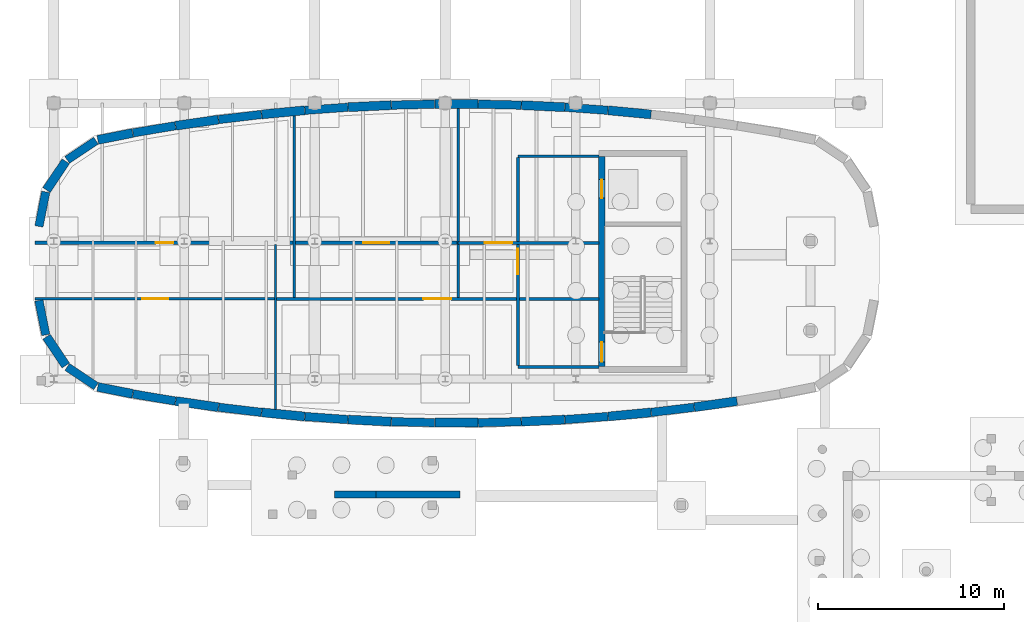
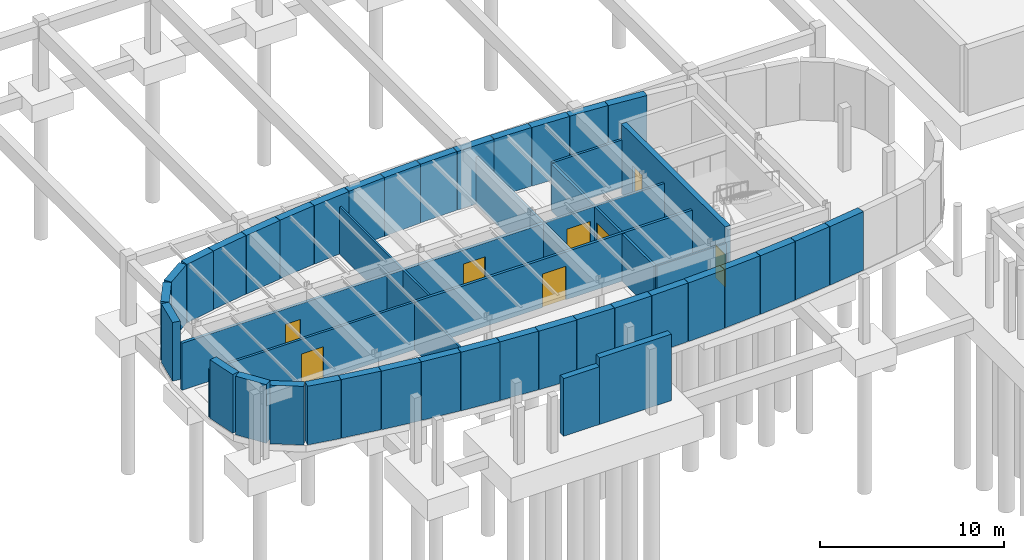
# One storey, part 35 of 45: 48 walls, 8 doors, 8 openings.
"""IFC4 building model written with IfcOpenShell, lengths in metres."""

from ifc_helpers import new_model, si_unit, direction, frame, frame_2d, origin, place, context, subcontext, project, spatial, rectangle, extrude, material, layer, layer_set, type_object, element, fill, save


model = new_model("IFC4")

# Units and contexts
model_context = context("Model", 3, precision=1e-05, world=origin(), true_north=direction((0.0, 1.0)))
body_context = subcontext(model_context, "Body", "Model", "MODEL_VIEW")
ifc_project = project(units=[si_unit("LENGTHUNIT", "METRE"), si_unit("AREAUNIT", "SQUARE_METRE"), si_unit("VOLUMEUNIT", "CUBIC_METRE"), si_unit("PLANEANGLEUNIT", "RADIAN"), si_unit("MASSUNIT", "GRAM", prefix="KILO")], contexts=[model_context])

# Site, building, storey
site_placement = place(None, origin())
site = spatial("IfcSite", under=ifc_project, at=site_placement, CompositionType="ELEMENT")
building_placement = place(site_placement, origin())
building = spatial("IfcBuilding", under=site, at=building_placement, Name="Corveleigh Park Community Centre", CompositionType="ELEMENT")
storey_placement = place(building_placement, frame((0.0, 0.0, -4.199951171875)))
storey = spatial("IfcBuildingStorey", under=building, at=storey_placement, Name="B1", CompositionType="ELEMENT", Elevation=-4.199951171875)

# Walls
ifc_material_1 = material(Name="Gypsum acoustic stud partition", Category="gypsum")
ifc_layer_1 = layer(ifc_material_1, 0.114990234375, Name="Gypsum acoustic stud partition", Category="gypsum")
ifc_layer_set_1 = layer_set([ifc_layer_1], Name="Gypsum acoustic stud partition")
wall_type_1 = type_object("IfcWallType", Name="WL-PRT-115", PredefinedType="PARTITIONING", material=ifc_layer_set_1)
wall_1_placement = place(storey_placement, frame((23.10009765625, 76.364990234375, 0.0), z_axis=(0.0, 0.0, 1.0), x_axis=(0.0, 1.0, 0.0)))
element("IfcWall", 1, at=wall_1_placement, inside=storey, type_object=wall_type_1, Name="Community Cycle Hub partition", PredefinedType="PARTITIONING", context=body_context, shape_type="SweptSolid", body=[
    extrude(rectangle(XDim=8.85693359375, YDim=0.114990234375, at=frame_2d((4.428466796875, 0.0))), origin(), (0.0, 0.0, 1.0), 3.119873046875),
])
ifc_layer_2 = layer(ifc_material_1, 0.125, Name="Gypsum acoustic stud partition", Category="gypsum")
ifc_layer_set_2 = layer_set([ifc_layer_2], Name="Gypsum acoustic stud partition")
wall_type_2 = type_object("IfcWallType", Name="WL-PRT-125", PredefinedType="PARTITIONING", material=ifc_layer_set_2)
wall_2_placement = place(storey_placement, frame((24.10009765625, 82.3701171875, 0.0), z_axis=(0.0, 0.0, 1.0), x_axis=(0.0, 1.0, 0.0)))
element("IfcWall", 2, at=wall_2_placement, inside=storey, type_object=wall_type_2, Name="Youth Martial Arts Studio partition", PredefinedType="PARTITIONING", context=body_context, shape_type="SweptSolid", body=[
    extrude(rectangle(XDim=9.759765625, YDim=0.125, at=frame_2d((4.8798828125, 0.0))), origin(), (0.0, 0.0, 1.0), 3.119873046875),
])
ifc_layer_3 = layer(ifc_material_1, 0.139892578125, Name="Gypsum acoustic stud partition", Category="gypsum")
ifc_layer_set_3 = layer_set([ifc_layer_3], Name="Gypsum acoustic stud partition")
wall_type_3 = type_object("IfcWallType", Name="WL-PRT-140", PredefinedType="PARTITIONING", material=ifc_layer_set_3)
wall_3_placement = place(storey_placement, frame((32.89990234375, 82.3701171875, 0.0), z_axis=(0.0, 0.0, 1.0), x_axis=(0.0, 1.0, 0.0)))
element("IfcWall", 3, at=wall_3_placement, inside=storey, type_object=wall_type_3, Name="Sports Changing Room B1 partition", PredefinedType="PARTITIONING", context=body_context, shape_type="SweptSolid", body=[
    extrude(rectangle(XDim=10.14599609375, YDim=0.139892578125, at=frame_2d((5.072998046875, 0.0))), origin(), (0.0, 0.0, 1.0), 3.119873046875),
])
ifc_layer_4 = layer(ifc_material_1, 0.14990234375, Name="Gypsum acoustic stud partition", Category="gypsum")
ifc_layer_set_4 = layer_set([ifc_layer_4], Name="Gypsum acoustic stud partition")
wall_type_4 = type_object("IfcWallType", Name="WL-PRT-150", PredefinedType="PARTITIONING", material=ifc_layer_set_4)
for number, where, z_axis, x_axis, name in (
    (4, (36.10009765625, 78.64990234375, 0.0), (0.0, 0.0, 1.0), (1.0, 0.0, 0.0), "CORE3 lobby south wall"),
    (5, (40.452880859375, 89.949951171875, 0.0), (0.0, 0.0, 1.0), (-1.0, 0.0, 0.0), "CORE3 lobby north wall"),
):
    element("IfcWall", number, at=place(storey_placement, frame(where, z_axis=z_axis, x_axis=x_axis)), inside=storey, type_object=wall_type_4, Name=name, PredefinedType="PARTITIONING", context=body_context, shape_type="SweptSolid", body=[
        extrude(rectangle(XDim=4.352783203125, YDim=0.14990234375, at=frame_2d((2.17626953125, 0.0))), origin(), (0.0, 0.0, 1.0), 3.169921875),
    ])

# Wall, opening, door
wall_4_placement = place(storey_placement, frame((36.10009765625, 89.8701171875, 0.0), z_axis=(0.0, 0.0, 1.0), x_axis=(0.0, -1.0, 0.0)))
wall_4 = element("IfcWall", 6, at=wall_4_placement, inside=storey, type_object=wall_type_4, Name="CORE3 lobby corridor wall", PredefinedType="PARTITIONING", context=body_context, shape_type="SweptSolid", body=[
    extrude(rectangle(XDim=11.14013671875, YDim=0.14990234375, at=frame_2d((5.570068359375, 0.0))), origin(), (0.0, 0.0, 1.0), 3.119873046875),
])
opening_1_placement = place(wall_4_placement, frame((4.8798828125, 0.0, 0.0)))
opening_1 = element("IfcOpeningElement", 7, at=opening_1_placement, cuts=wall_4, Name="Opening FD02", PredefinedType="OPENING", context=body_context, shape_type="SweptSolid", body=[
    extrude(rectangle(XDim=1.3798828125, YDim=2.199951171875, at=frame_2d((0.68994140625, 1.10009765625))), frame((0.0, 0.0849609375, 0.0), z_axis=(0.0, -1.0, 0.0), x_axis=(1.0, 0.0, 0.0)), (0.0, 0.0, 1.0), 0.169921875),
])
ifc_material_2 = material(Name="Hardwood acoustic door leaf", Category="wood")
door_type_1 = type_object("IfcDoorType", Name="DR-FIR-1380x2200", OperationType="DOUBLE_DOOR_SINGLE_SWING", PredefinedType="DOOR", material=ifc_material_2)
door_1_placement = place(opening_1_placement, origin())
door_1 = element("IfcDoor", 8, at=door_1_placement, inside=storey, type_object=door_type_1, Name="Lobby CORE3 corridor door B1", OperationType="DOUBLE_DOOR_SINGLE_SWING", OverallHeight=2.199951171875, OverallWidth=1.3798828125, PredefinedType="DOOR", context=body_context, shape_type="SweptSolid", body=[
    extrude(rectangle(XDim=1.3798828125, YDim=2.199951171875, at=frame_2d((0.68994140625, 1.10009765625))), frame((0.0, 0.02490234375, 0.0), z_axis=(0.0, -1.0, 0.0), x_axis=(1.0, 0.0, 0.0)), (0.0, 0.0, 1.0), 0.050048828125),
])
fill(opening_1, door_1)

wall_5_placement = place(storey_placement, frame((10.199951171875, 82.300048828125, 0.0), z_axis=(0.0, 0.0, 1.0), x_axis=(1.0, 0.0, 0.0)))
wall_5 = element("IfcWall", 9, at=wall_5_placement, inside=storey, type_object=wall_type_4, Name="Community Cycle Hub corridor wall", PredefinedType="PARTITIONING", context=body_context, shape_type="SweptSolid", body=[
    extrude(rectangle(XDim=12.900146484375, YDim=0.14990234375, at=frame_2d((6.4501953125, 0.0))), origin(), (0.0, 0.0, 1.0), 3.169921875),
])
opening_2_placement = place(wall_5_placement, frame((5.760009765625, 0.0, 0.0)))
opening_2 = element("IfcOpeningElement", 10, at=opening_2_placement, cuts=wall_5, Name="Opening FD02", PredefinedType="OPENING", context=body_context, shape_type="SweptSolid", body=[
    extrude(rectangle(XDim=1.3798828125, YDim=2.199951171875, at=frame_2d((0.68994140625, 1.10009765625))), frame((0.0, 0.0849609375, 0.0), z_axis=(0.0, -1.0, 0.0), x_axis=(1.0, 0.0, 0.0)), (0.0, 0.0, 1.0), 0.169921875),
])
door_2_placement = place(opening_2_placement, origin())
door_2 = element("IfcDoor", 11, at=door_2_placement, inside=storey, type_object=door_type_1, Name="Community Cycle Hub door", OperationType="DOUBLE_DOOR_SINGLE_SWING", OverallHeight=2.199951171875, OverallWidth=1.3798828125, PredefinedType="DOOR", context=body_context, shape_type="SweptSolid", body=[
    extrude(rectangle(XDim=1.3798828125, YDim=2.199951171875, at=frame_2d((0.68994140625, 1.10009765625))), frame((0.0, 0.02490234375, 0.0), z_axis=(0.0, -1.0, 0.0), x_axis=(1.0, 0.0, 0.0)), (0.0, 0.0, 1.0), 0.050048828125),
])
fill(opening_2, door_2)

wall_6_placement = place(storey_placement, frame((40.449951171875, 85.300048828125, 0.0), z_axis=(0.0, 0.0, 1.0), x_axis=(-1.0, 0.0, 0.0)))
wall_6 = element("IfcWall", 12, at=wall_6_placement, inside=storey, type_object=wall_type_4, Name="Accessible WC B1 corridor wall", PredefinedType="PARTITIONING", context=body_context, shape_type="SweptSolid", body=[
    extrude(rectangle(XDim=7.550048828125, YDim=0.14990234375, at=frame_2d((3.77490234375, 0.0))), origin(), (0.0, 0.0, 1.0), 3.119873046875),
])
opening_3_placement = place(wall_6_placement, frame((4.659912109375, 0.0, 0.0)))
opening_3 = element("IfcOpeningElement", 13, at=opening_3_placement, cuts=wall_6, Name="Opening FD01", PredefinedType="OPENING", context=body_context, shape_type="SweptSolid", body=[
    extrude(rectangle(XDim=1.47998046875, YDim=2.219970703125, at=frame_2d((0.739990234375, 1.10986328125))), frame((0.0, 0.0849609375, 0.0), z_axis=(0.0, -1.0, 0.0), x_axis=(1.0, 0.0, 0.0)), (0.0, 0.0, 1.0), 0.169921875),
])
door_type_2 = type_object("IfcDoorType", Name="DR-FIR-1480x2220", OperationType="DOUBLE_DOOR_SINGLE_SWING", PredefinedType="DOOR", material=ifc_material_2)
door_3_placement = place(opening_3_placement, origin())
door_3 = element("IfcDoor", 14, at=door_3_placement, inside=storey, type_object=door_type_2, Name="Accessible WC B1 door", OperationType="DOUBLE_DOOR_SINGLE_SWING", OverallHeight=2.219970703125, OverallWidth=1.47998046875, PredefinedType="DOOR", context=body_context, shape_type="SweptSolid", body=[
    extrude(rectangle(XDim=1.47998046875, YDim=2.219970703125, at=frame_2d((0.739990234375, 1.10986328125))), frame((0.0, 0.02490234375, 0.0), z_axis=(0.0, -1.0, 0.0), x_axis=(1.0, 0.0, 0.0)), (0.0, 0.0, 1.0), 0.050048828125),
])
fill(opening_3, door_3)

ifc_layer_5 = layer(ifc_material_1, 0.1650390625, Name="Gypsum acoustic stud partition", Category="gypsum")
ifc_layer_set_5 = layer_set([ifc_layer_5], Name="Gypsum acoustic stud partition")
wall_type_5 = type_object("IfcWallType", Name="WL-PRT-165", PredefinedType="PARTITIONING", material=ifc_layer_set_5)
wall_7_placement = place(storey_placement, frame((23.10009765625, 82.300048828125, 0.0), z_axis=(0.0, 0.0, 1.0), x_axis=(1.0, 0.0, 0.0)))
wall_7 = element("IfcWall", 15, at=wall_7_placement, inside=storey, type_object=wall_type_5, Name="Table Tennis Recreation Room corridor wall", PredefinedType="PARTITIONING", context=body_context, shape_type="SweptSolid", body=[
    extrude(rectangle(XDim=17.349853515625, YDim=0.1650390625, at=frame_2d((8.6748046875, 0.0))), origin(), (0.0, 0.0, 1.0), 3.169921875),
])
opening_4_placement = place(wall_7_placement, frame((7.93505859375, 0.0, 0.0)))
opening_4 = element("IfcOpeningElement", 16, at=opening_4_placement, cuts=wall_7, Name="Opening FD01", PredefinedType="OPENING", context=body_context, shape_type="SweptSolid", body=[
    extrude(rectangle(XDim=1.47998046875, YDim=2.219970703125, at=frame_2d((0.739990234375, 1.10986328125))), frame((0.0, 0.092529296875, 0.0), z_axis=(0.0, -1.0, 0.0), x_axis=(1.0, 0.0, 0.0)), (0.0, 0.0, 1.0), 0.18505859375),
])
door_4_placement = place(opening_4_placement, origin())
door_4 = element("IfcDoor", 17, at=door_4_placement, inside=storey, type_object=door_type_2, Name="Table Tennis Recreation Room door", OperationType="DOUBLE_DOOR_SINGLE_SWING", OverallHeight=2.219970703125, OverallWidth=1.47998046875, PredefinedType="DOOR", context=body_context, shape_type="SweptSolid", body=[
    extrude(rectangle(XDim=1.47998046875, YDim=2.219970703125, at=frame_2d((0.739990234375, 1.10986328125))), frame((0.0, 0.02490234375, 0.0), z_axis=(0.0, -1.0, 0.0), x_axis=(1.0, 0.0, 0.0)), (0.0, 0.0, 1.0), 0.050048828125),
])
fill(opening_4, door_4)

ifc_layer_6 = layer(ifc_material_1, 0.179931640625, Name="Gypsum acoustic stud partition", Category="gypsum")
ifc_layer_set_6 = layer_set([ifc_layer_6], Name="Gypsum acoustic stud partition")
wall_type_6 = type_object("IfcWallType", Name="WL-PRT-180", PredefinedType="PARTITIONING", material=ifc_layer_set_6)
wall_8_placement = place(storey_placement, frame((24.10009765625, 85.300048828125, 0.0), z_axis=(0.0, 0.0, 1.0), x_axis=(-1.0, 0.0, 0.0)))
wall_8 = element("IfcWall", 18, at=wall_8_placement, inside=storey, type_object=wall_type_6, Name="Youth Martial Arts Studio corridor wall", PredefinedType="PARTITIONING", context=body_context, shape_type="SweptSolid", body=[
    extrude(rectangle(XDim=13.900146484375, YDim=0.179931640625, at=frame_2d((6.9501953125, 0.0))), origin(), (0.0, 0.0, 1.0), 3.119873046875),
])
opening_5_placement = place(wall_8_placement, frame((6.47998046875, 0.0, 0.0)))
opening_5 = element("IfcOpeningElement", 19, at=opening_5_placement, cuts=wall_8, Name="Opening FD09", PredefinedType="OPENING", context=body_context, shape_type="SweptSolid", body=[
    extrude(rectangle(XDim=0.93994140625, YDim=2.10009765625, at=frame_2d((0.469970703125, 1.050048828125))), frame((0.0, 0.099853515625, 0.0), z_axis=(0.0, -1.0, 0.0), x_axis=(1.0, 0.0, 0.0)), (0.0, 0.0, 1.0), 0.199951171875),
])
door_type_3 = type_object("IfcDoorType", Name="DR-FIR-0940x2100", OperationType="NOTDEFINED", PredefinedType="DOOR", material=ifc_material_2)
door_5_placement = place(opening_5_placement, origin())
door_5 = element("IfcDoor", 20, at=door_5_placement, inside=storey, type_object=door_type_3, Name="Youth Martial Arts Studio door", OperationType="SINGLE_SWING_LEFT", OverallHeight=2.10009765625, OverallWidth=0.93994140625, PredefinedType="DOOR", context=body_context, shape_type="SweptSolid", body=[
    extrude(rectangle(XDim=0.93994140625, YDim=2.10009765625, at=frame_2d((0.469970703125, 1.050048828125))), frame((0.0, 0.02490234375, 0.0), z_axis=(0.0, -1.0, 0.0), x_axis=(1.0, 0.0, 0.0)), (0.0, 0.0, 1.0), 0.050048828125),
])
fill(opening_5, door_5)

ifc_material_3 = material(Name="Masonry blockwork 7.3 MPa", Category="masonry")
ifc_layer_7 = layer(ifc_material_3, 0.195068359375, Name="Masonry blockwork 7.3 MPa", Category="masonry")
ifc_layer_set_7 = layer_set([ifc_layer_7], Name="Masonry blockwork 7.3 MPa")
wall_type_7 = type_object("IfcWallType", Name="WL-PRT-195", PredefinedType="PARTITIONING", material=ifc_layer_set_7)
wall_9_placement = place(storey_placement, frame((32.89990234375, 85.300048828125, 0.0), z_axis=(0.0, 0.0, 1.0), x_axis=(-1.0, 0.0, 0.0)))
wall_9 = element("IfcWall", 21, at=wall_9_placement, inside=storey, type_object=wall_type_7, Name="Sports Changing Room B1 corridor wall", PredefinedType="PARTITIONING", context=body_context, shape_type="SweptSolid", body=[
    extrude(rectangle(XDim=8.7998046875, YDim=0.195068359375, at=frame_2d((4.39990234375, 0.0))), origin(), (0.0, 0.0, 1.0), 3.119873046875),
])
opening_6_placement = place(wall_9_placement, frame((3.7099609375, 0.0, 0.0)))
opening_6 = element("IfcOpeningElement", 22, at=opening_6_placement, cuts=wall_9, Name="Opening FD02", PredefinedType="OPENING", context=body_context, shape_type="SweptSolid", body=[
    extrude(rectangle(XDim=1.3798828125, YDim=2.199951171875, at=frame_2d((0.68994140625, 1.10009765625))), frame((0.0, 0.107421875, 0.0), z_axis=(0.0, -1.0, 0.0), x_axis=(1.0, 0.0, 0.0)), (0.0, 0.0, 1.0), 0.215087890625),
])
door_6_placement = place(opening_6_placement, origin())
door_6 = element("IfcDoor", 23, at=door_6_placement, inside=storey, type_object=door_type_1, Name="Sports Changing Room B1 door", OperationType="DOUBLE_DOOR_SINGLE_SWING", OverallHeight=2.199951171875, OverallWidth=1.3798828125, PredefinedType="DOOR", context=body_context, shape_type="SweptSolid", body=[
    extrude(rectangle(XDim=1.3798828125, YDim=2.199951171875, at=frame_2d((0.68994140625, 1.10009765625))), frame((0.0, 0.02490234375, 0.0), z_axis=(0.0, -1.0, 0.0), x_axis=(1.0, 0.0, 0.0)), (0.0, 0.0, 1.0), 0.050048828125),
])
fill(opening_6, door_6)

# Walls
ifc_material_4 = material(Name="Concrete C40/50", Category="concrete")
ifc_layer_8 = layer(ifc_material_4, 0.449951171875, Name="Concrete C40/50", Category="concrete")
ifc_layer_set_8 = layer_set([ifc_layer_8], Name="Concrete C40/50")
wall_type_8 = type_object("IfcWallType", Name="WL-RET-450", PredefinedType="STANDARD", material=ifc_layer_set_8)
wall_10_placement = place(storey_placement, frame((17.72607421875, 76.81591796875, 0.0), z_axis=(0.0, 0.0, 1.0), x_axis=(-0.986201703838, 0.165548178323, 0.0)))
element("IfcWall", 24, at=wall_10_placement, inside=storey, type_object=wall_type_8, Name="V2 B1 retaining wall", PredefinedType="STANDARD", context=body_context, shape_type="SweptSolid", body=[
    extrude(rectangle(XDim=2.307861328125, YDim=0.449951171875, at=frame_2d((1.15380859375, 0.0))), origin(), (0.0, 0.0, 1.0), 3.8818359375),
])
wall_11_placement = place(storey_placement, frame((22.340087890625, 76.208984375, 0.0), z_axis=(0.0, 0.0, 1.0), x_axis=(-0.992939732449, 0.118619929707, 0.0)))
element("IfcWall", 25, at=wall_11_placement, inside=storey, type_object=wall_type_8, Name="V2 B1 retaining wall", PredefinedType="STANDARD", context=body_context, shape_type="SweptSolid", body=[
    extrude(rectangle(XDim=2.309326171875, YDim=0.449951171875, at=frame_2d((1.15478515625, 0.0))), origin(), (0.0, 0.0, 1.0), 3.8818359375),
])
wall_12_placement = place(storey_placement, frame((26.97705078125, 75.822021484375, 0.0), z_axis=(0.0, 0.0, 1.0), x_axis=(-0.997472101279, 0.071059180755, 0.0)))
element("IfcWall", 26, at=wall_12_placement, inside=storey, type_object=wall_type_8, Name="V2 B1 retaining wall", PredefinedType="STANDARD", context=body_context, shape_type="SweptSolid", body=[
    extrude(rectangle(XDim=2.308837890625, YDim=0.449951171875, at=frame_2d((1.154296875, 0.0))), origin(), (0.0, 0.0, 1.0), 3.8818359375),
])
wall_13_placement = place(storey_placement, frame((31.6279296875, 75.656005859375, 0.0), z_axis=(0.0, 0.0, 1.0), x_axis=(-0.999717092843, 0.023785169281, 0.0)))
element("IfcWall", 27, at=wall_13_placement, inside=storey, type_object=wall_type_8, Name="V2 B1 retaining wall", PredefinedType="STANDARD", context=body_context, shape_type="SweptSolid", body=[
    extrude(rectangle(XDim=2.3095703125, YDim=0.449951171875, at=frame_2d((1.15478515625, 0.0))), origin(), (0.0, 0.0, 1.0), 3.8818359375),
])
wall_14_placement = place(storey_placement, frame((36.281005859375, 75.7109375, 0.0), z_axis=(0.0, 0.0, 1.0), x_axis=(-0.999717152638, -0.023782655883, 0.0)))
element("IfcWall", 28, at=wall_14_placement, inside=storey, type_object=wall_type_8, Name="V2 B1 retaining wall", PredefinedType="STANDARD", context=body_context, shape_type="SweptSolid", body=[
    extrude(rectangle(XDim=2.309814453125, YDim=0.449951171875, at=frame_2d((1.15478515625, 0.0))), origin(), (0.0, 0.0, 1.0), 3.8818359375),
])
wall_15_placement = place(storey_placement, frame((40.926025390625, 75.986083984375, 0.0), z_axis=(0.0, 0.0, 1.0), x_axis=(-0.997472101279, -0.071059180755, 0.0)))
element("IfcWall", 29, at=wall_15_placement, inside=storey, type_object=wall_type_8, Name="V2 B1 retaining wall", PredefinedType="STANDARD", context=body_context, shape_type="SweptSolid", body=[
    extrude(rectangle(XDim=2.308837890625, YDim=0.449951171875, at=frame_2d((1.154296875, 0.0))), origin(), (0.0, 0.0, 1.0), 3.8818359375),
])
wall_16_placement = place(storey_placement, frame((45.552978515625, 76.48291015625, 0.0), z_axis=(0.0, 0.0, 1.0), x_axis=(-0.992939732449, -0.118619929707, 0.0)))
element("IfcWall", 30, at=wall_16_placement, inside=storey, type_object=wall_type_8, Name="V2 B1 retaining wall", PredefinedType="STANDARD", context=body_context, shape_type="SweptSolid", body=[
    extrude(rectangle(XDim=2.309326171875, YDim=0.449951171875, at=frame_2d((1.15478515625, 0.0))), origin(), (0.0, 0.0, 1.0), 3.8818359375),
])
wall_17_placement = place(storey_placement, frame((38.623046875, 92.577880859375, 0.0), z_axis=(0.0, 0.0, 1.0), x_axis=(0.997479590791, -0.07095397068, 0.0)))
element("IfcWall", 31, at=wall_17_placement, inside=storey, type_object=wall_type_8, Name="V2 B1 retaining wall", PredefinedType="STANDARD", context=body_context, shape_type="SweptSolid", body=[
    extrude(rectangle(XDim=2.308837890625, YDim=0.449951171875, at=frame_2d((1.154296875, 0.0))), origin(), (0.0, 0.0, 1.0), 3.8818359375),
])
wall_18_placement = place(storey_placement, frame((33.971923828125, 92.743896484375, 0.0), z_axis=(0.0, 0.0, 1.0), x_axis=(0.999717152638, -0.023782655883, 0.0)))
element("IfcWall", 32, at=wall_18_placement, inside=storey, type_object=wall_type_8, Name="V2 B1 retaining wall", PredefinedType="STANDARD", context=body_context, shape_type="SweptSolid", body=[
    extrude(rectangle(XDim=2.309814453125, YDim=0.449951171875, at=frame_2d((1.15478515625, 0.0))), origin(), (0.0, 0.0, 1.0), 3.8818359375),
])
wall_19_placement = place(storey_placement, frame((29.319091796875, 92.68896484375, 0.0), z_axis=(0.0, 0.0, 1.0), x_axis=(0.999717092843, 0.023785169281, 0.0)))
element("IfcWall", 33, at=wall_19_placement, inside=storey, type_object=wall_type_8, Name="V2 B1 retaining wall", PredefinedType="STANDARD", context=body_context, shape_type="SweptSolid", body=[
    extrude(rectangle(XDim=2.3095703125, YDim=0.449951171875, at=frame_2d((1.15478515625, 0.0))), origin(), (0.0, 0.0, 1.0), 3.8818359375),
])
wall_20_placement = place(storey_placement, frame((24.674072265625, 92.4140625, 0.0), z_axis=(0.0, 0.0, 1.0), x_axis=(0.997479590791, 0.07095397068, 0.0)))
element("IfcWall", 34, at=wall_20_placement, inside=storey, type_object=wall_type_8, Name="V2 B1 retaining wall", PredefinedType="STANDARD", context=body_context, shape_type="SweptSolid", body=[
    extrude(rectangle(XDim=2.308837890625, YDim=0.449951171875, at=frame_2d((1.154296875, 0.0))), origin(), (0.0, 0.0, 1.0), 3.8818359375),
])
wall_21_placement = place(storey_placement, frame((20.047119140625, 91.9169921875, 0.0), z_axis=(0.0, 0.0, 1.0), x_axis=(0.992939732449, 0.118619929707, 0.0)))
element("IfcWall", 35, at=wall_21_placement, inside=storey, type_object=wall_type_8, Name="V2 B1 retaining wall", PredefinedType="STANDARD", context=body_context, shape_type="SweptSolid", body=[
    extrude(rectangle(XDim=2.309326171875, YDim=0.449951171875, at=frame_2d((1.15478515625, 0.0))), origin(), (0.0, 0.0, 1.0), 3.8818359375),
])
wall_22_placement = place(storey_placement, frame((15.449951171875, 91.201904296875, 0.0), z_axis=(0.0, 0.0, 1.0), x_axis=(0.986201703838, 0.165548178323, 0.0)))
element("IfcWall", 36, at=wall_22_placement, inside=storey, type_object=wall_type_8, Name="V2 B1 retaining wall", PredefinedType="STANDARD", context=body_context, shape_type="SweptSolid", body=[
    extrude(rectangle(XDim=2.307861328125, YDim=0.449951171875, at=frame_2d((1.15380859375, 0.0))), origin(), (0.0, 0.0, 1.0), 3.8818359375),
])
wall_23_placement = place(storey_placement, frame((11.9208984375, 89.75390625, 0.0), z_axis=(0.0, 0.0, 1.0), x_axis=(0.831585073681, 0.555397393972, 0.0)))
element("IfcWall", 37, at=wall_23_placement, inside=storey, type_object=wall_type_8, Name="V2 B1 retaining wall", PredefinedType="STANDARD", context=body_context, shape_type="SweptSolid", body=[
    extrude(rectangle(XDim=1.858154296875, YDim=0.449951171875, at=frame_2d((0.92919921875, 0.0))), origin(), (0.0, 0.0, 1.0), 3.8818359375),
])
for number, where, z_axis, x_axis, name in (
    (38, (10.405029296875, 86.18701171875, 0.0), (0.0, 0.0, 1.0), (0.195169633953, 0.980769500944, 0.0), "V2 B1 retaining wall"),
    (39, (10.77294921875, 80.364013671875, 0.0), (0.0, 0.0, 1.0), (-0.195169633953, 0.980769500944, 0.0), "V2 B1 retaining wall"),
):
    element("IfcWall", number, at=place(storey_placement, frame(where, z_axis=z_axis, x_axis=x_axis)), inside=storey, type_object=wall_type_8, Name=name, PredefinedType="STANDARD", context=body_context, shape_type="SweptSolid", body=[
        extrude(rectangle(XDim=1.885009765625, YDim=0.449951171875, at=frame_2d((0.9423828125, 0.0))), origin(), (0.0, 0.0, 1.0), 3.8818359375),
    ])
wall_24_placement = place(storey_placement, frame((13.466064453125, 77.614013671875, 0.0), z_axis=(0.0, 0.0, 1.0), x_axis=(-0.831585073681, 0.555397393972, 0.0)))
element("IfcWall", 40, at=wall_24_placement, inside=storey, type_object=wall_type_8, Name="V2 B1 retaining wall", PredefinedType="STANDARD", context=body_context, shape_type="SweptSolid", body=[
    extrude(rectangle(XDim=1.858154296875, YDim=0.449951171875, at=frame_2d((0.92919921875, 0.0))), origin(), (0.0, 0.0, 1.0), 3.8818359375),
])
ifc_layer_9 = layer(ifc_material_4, 0.47998046875, Name="Concrete C40/50", Category="concrete")
ifc_layer_set_9 = layer_set([ifc_layer_9], Name="Concrete C40/50")
wall_type_9 = type_object("IfcWallType", Name="WL-RET-480", PredefinedType="STANDARD", material=ifc_layer_set_9)
for number, where, z_axis, x_axis, name in (
    (41, (20.029052734375, 76.485107421875, 0.0), (0.0, 0.0, 1.0), (-0.989803034106, 0.142442808434, 0.0), "V2 B1 retaining wall"),
    (42, (24.656005859375, 75.988037109375, 0.0), (0.0, 0.0, 1.0), (-0.995490242646, 0.094863991039, 0.0), "V2 B1 retaining wall"),
    (43, (29.301025390625, 75.7109375, 0.0), (0.0, 0.0, 1.0), (-0.998861908262, 0.047695788314, 0.0), "V2 B1 retaining wall"),
):
    element("IfcWall", number, at=place(storey_placement, frame(where, z_axis=z_axis, x_axis=x_axis)), inside=storey, type_object=wall_type_9, Name=name, PredefinedType="STANDARD", context=body_context, shape_type="SweptSolid", body=[
        extrude(rectangle(XDim=2.30859375, YDim=0.47998046875, at=frame_2d((1.154296875, 0.0))), origin(), (0.0, 0.0, 1.0), 3.8818359375),
    ])
wall_25_placement = place(storey_placement, frame((33.9541015625, 75.656005859375, 0.0), z_axis=(0.0, 0.0, 1.0), x_axis=(-1.0, 0.0, 0.0)))
element("IfcWall", 44, at=wall_25_placement, inside=storey, type_object=wall_type_9, Name="V2 B1 retaining wall", PredefinedType="STANDARD", context=body_context, shape_type="SweptSolid", body=[
    extrude(rectangle(XDim=2.30810546875, YDim=0.47998046875, at=frame_2d((1.154052734375, 0.0))), origin(), (0.0, 0.0, 1.0), 3.8818359375),
])
wall_26_placement = place(storey_placement, frame((38.60498046875, 75.821044921875, 0.0), z_axis=(0.0, 0.0, 1.0), x_axis=(-0.998861908262, -0.047695788314, 0.0)))
element("IfcWall", 45, at=wall_26_placement, inside=storey, type_object=wall_type_9, Name="V2 B1 retaining wall", PredefinedType="STANDARD", context=body_context, shape_type="SweptSolid", body=[
    extrude(rectangle(XDim=2.30859375, YDim=0.47998046875, at=frame_2d((1.154296875, 0.0))), origin(), (0.0, 0.0, 1.0), 3.8818359375),
])
for number, where, z_axis, x_axis, name in (
    (46, (43.241943359375, 76.20703125, 0.0), (0.0, 0.0, 1.0), (-0.99548929077, -0.094873979369, 0.0), "V2 B1 retaining wall"),
    (47, (47.85595703125, 76.81396484375, 0.0), (0.0, 0.0, 1.0), (-0.989800888143, -0.14245771945, 0.0), "V2 B1 retaining wall"),
    (48, (40.944091796875, 92.412109375, 0.0), (0.0, 0.0, 1.0), (0.99548929077, -0.094873979369, 0.0), "V2 B1 retaining wall"),
):
    element("IfcWall", number, at=place(storey_placement, frame(where, z_axis=z_axis, x_axis=x_axis)), inside=storey, type_object=wall_type_9, Name=name, PredefinedType="STANDARD", context=body_context, shape_type="SweptSolid", body=[
        extrude(rectangle(XDim=2.308349609375, YDim=0.47998046875, at=frame_2d((1.154296875, 0.0))), origin(), (0.0, 0.0, 1.0), 3.8818359375),
    ])
wall_27_placement = place(storey_placement, frame((36.299072265625, 92.68896484375, 0.0), z_axis=(0.0, 0.0, 1.0), x_axis=(0.998866941072, -0.04759027247, 0.0)))
element("IfcWall", 49, at=wall_27_placement, inside=storey, type_object=wall_type_9, Name="V2 B1 retaining wall", PredefinedType="STANDARD", context=body_context, shape_type="SweptSolid", body=[
    extrude(rectangle(XDim=2.30859375, YDim=0.47998046875, at=frame_2d((1.154296875, 0.0))), origin(), (0.0, 0.0, 1.0), 3.8818359375),
])
wall_28_placement = place(storey_placement, frame((31.64599609375, 92.743896484375, 0.0), z_axis=(0.0, 0.0, 1.0), x_axis=(1.0, 0.0, 0.0)))
element("IfcWall", 50, at=wall_28_placement, inside=storey, type_object=wall_type_9, Name="V2 B1 retaining wall", PredefinedType="STANDARD", context=body_context, shape_type="SweptSolid", body=[
    extrude(rectangle(XDim=2.30810546875, YDim=0.47998046875, at=frame_2d((1.154052734375, 0.0))), origin(), (0.0, 0.0, 1.0), 3.8818359375),
])
for number, where, z_axis, x_axis, name in (
    (51, (26.9951171875, 92.5791015625, 0.0), (0.0, 0.0, 1.0), (0.998866941072, 0.04759027247, 0.0), "V2 B1 retaining wall"),
    (52, (22.35791015625, 92.193115234375, 0.0), (0.0, 0.0, 1.0), (0.995490242646, 0.094863991039, 0.0), "V2 B1 retaining wall"),
):
    element("IfcWall", number, at=place(storey_placement, frame(where, z_axis=z_axis, x_axis=x_axis)), inside=storey, type_object=wall_type_9, Name=name, PredefinedType="STANDARD", context=body_context, shape_type="SweptSolid", body=[
        extrude(rectangle(XDim=2.30859375, YDim=0.47998046875, at=frame_2d((1.154296875, 0.0))), origin(), (0.0, 0.0, 1.0), 3.8818359375),
    ])
wall_29_placement = place(storey_placement, frame((17.743896484375, 91.5859375, 0.0), z_axis=(0.0, 0.0, 1.0), x_axis=(0.989788119438, 0.142546408654, 0.0)))
element("IfcWall", 53, at=wall_29_placement, inside=storey, type_object=wall_type_9, Name="V2 B1 retaining wall", PredefinedType="STANDARD", context=body_context, shape_type="SweptSolid", body=[
    extrude(rectangle(XDim=2.308837890625, YDim=0.47998046875, at=frame_2d((1.154296875, 0.0))), origin(), (0.0, 0.0, 1.0), 3.8818359375),
])
wall_30_placement = place(storey_placement, frame((13.56396484375, 90.826904296875, 0.0), z_axis=(0.0, 0.0, 1.0), x_axis=(0.980792332268, 0.195054866551, 0.0)))
element("IfcWall", 54, at=wall_30_placement, inside=storey, type_object=wall_type_9, Name="V2 B1 retaining wall", PredefinedType="STANDARD", context=body_context, shape_type="SweptSolid", body=[
    extrude(rectangle(XDim=1.902587890625, YDim=0.47998046875, at=frame_2d((0.951171875, 0.0))), origin(), (0.0, 0.0, 1.0), 3.8818359375),
])
wall_31_placement = place(storey_placement, frame((10.81396484375, 88.134033203125, 0.0), z_axis=(0.0, 0.0, 1.0), x_axis=(0.55545808423, 0.831544536789, 0.0)))
element("IfcWall", 55, at=wall_31_placement, inside=storey, type_object=wall_type_9, Name="V2 B1 retaining wall", PredefinedType="STANDARD", context=body_context, shape_type="SweptSolid", body=[
    extrude(rectangle(XDim=1.85791015625, YDim=0.47998046875, at=frame_2d((0.928955078125, 0.0))), origin(), (0.0, 0.0, 1.0), 3.8818359375),
])
wall_32_placement = place(storey_placement, frame((11.845947265625, 78.720947265625, 0.0), z_axis=(0.0, 0.0, 1.0), x_axis=(-0.555397393972, 0.831585073681, 0.0)))
element("IfcWall", 56, at=wall_32_placement, inside=storey, type_object=wall_type_9, Name="V2 B1 retaining wall", PredefinedType="STANDARD", context=body_context, shape_type="SweptSolid", body=[
    extrude(rectangle(XDim=1.858154296875, YDim=0.47998046875, at=frame_2d((0.92919921875, 0.0))), origin(), (0.0, 0.0, 1.0), 3.8818359375),
])
wall_33_placement = place(storey_placement, frame((15.429931640625, 77.201904296875, 0.0), z_axis=(0.0, 0.0, 1.0), x_axis=(-0.980792332268, 0.195054866551, 0.0)))
element("IfcWall", 57, at=wall_33_placement, inside=storey, type_object=wall_type_9, Name="V2 B1 retaining wall", PredefinedType="STANDARD", context=body_context, shape_type="SweptSolid", body=[
    extrude(rectangle(XDim=1.902587890625, YDim=0.47998046875, at=frame_2d((0.951171875, 0.0))), origin(), (0.0, 0.0, 1.0), 3.8818359375),
])

# Wall, openings, doors
ifc_layer_10 = layer(ifc_material_4, 0.324951171875, Name="Concrete C40/50", Category="concrete")
ifc_layer_set_10 = layer_set([ifc_layer_10], Name="Concrete C40/50")
wall_type_10 = type_object("IfcWallType", Name="WL-SHR-325", PredefinedType="SHEAR", material=ifc_layer_set_10)
wall_34_placement = place(storey_placement, frame((40.60009765625, 89.93798828125, -0.4150390625), z_axis=(0.0, 0.0, 1.0), x_axis=(0.0, -1.0, 0.0)))
wall_34 = element("IfcWall", 58, at=wall_34_placement, inside=storey, type_object=wall_type_10, Name="CORE3 west lobby wall", PredefinedType="SHEAR", context=body_context, shape_type="SweptSolid", body=[
    extrude(rectangle(XDim=11.27587890625, YDim=0.324951171875, at=frame_2d((5.637939453125, 0.0))), origin(), (0.0, 0.0, 1.0), 4.614990234375),
])
opening_7_placement = place(wall_34_placement, frame((1.238037109375, 0.0, 0.4150390625)))
opening_7 = element("IfcOpeningElement", 59, at=opening_7_placement, cuts=wall_34, Name="Opening LD02", PredefinedType="OPENING", context=body_context, shape_type="SweptSolid", body=[
    extrude(rectangle(XDim=1.0, YDim=2.14990234375, at=frame_2d((0.5, 1.074951171875))), frame((0.0, 0.17236328125, 0.0), z_axis=(0.0, -1.0, 0.0), x_axis=(1.0, 0.0, 0.0)), (0.0, 0.0, 1.0), 0.344970703125),
])
opening_8_placement = place(wall_34_placement, frame((9.9580078125, 0.0, 0.4150390625)))
opening_8 = element("IfcOpeningElement", 60, at=opening_8_placement, cuts=wall_34, Name="Opening FD04", PredefinedType="OPENING", context=body_context, shape_type="SweptSolid", body=[
    extrude(rectangle(XDim=1.06005859375, YDim=2.14990234375, at=frame_2d((0.530029296875, 1.074951171875))), frame((0.0, 0.17236328125, 0.0), z_axis=(0.0, -1.0, 0.0), x_axis=(1.0, 0.0, 0.0)), (0.0, 0.0, 1.0), 0.344970703125),
])
door_type_4 = type_object("IfcDoorType", Name="DR-FIR-1060x2150", OperationType="NOTDEFINED", PredefinedType="DOOR", material=ifc_material_2)
door_7_placement = place(opening_8_placement, origin())
door_7 = element("IfcDoor", 61, at=door_7_placement, inside=storey, type_object=door_type_4, Name="Stair ST3 fire door B1", OperationType="SINGLE_SWING_LEFT", OverallHeight=2.14990234375, OverallWidth=1.06005859375, PredefinedType="DOOR", context=body_context, shape_type="SweptSolid", body=[
    extrude(rectangle(XDim=1.06005859375, YDim=2.14990234375, at=frame_2d((0.530029296875, 1.074951171875))), frame((0.0, 0.02490234375, 0.0), z_axis=(0.0, -1.0, 0.0), x_axis=(1.0, 0.0, 0.0)), (0.0, 0.0, 1.0), 0.050048828125),
])
fill(opening_8, door_7)
ifc_material_5 = material(Name="Brushed stainless steel lift car", Category="steel")
door_type_5 = type_object("IfcDoorType", Name="DR-LFT-1000x2150", OperationType="SLIDING_TO_LEFT", PredefinedType="DOOR", material=ifc_material_5)
door_8_placement = place(opening_7_placement, origin())
door_8 = element("IfcDoor", 62, at=door_8_placement, inside=storey, type_object=door_type_5, Name="Lift PL1 landing door B1", OperationType="SLIDING_TO_LEFT", OverallHeight=2.14990234375, OverallWidth=1.0, PredefinedType="DOOR", context=body_context, shape_type="SweptSolid", body=[
    extrude(rectangle(XDim=1.0, YDim=2.14990234375, at=frame_2d((0.5, 1.074951171875))), frame((0.0, 0.02490234375, 0.0), z_axis=(0.0, -1.0, 0.0), x_axis=(1.0, 0.0, 0.0)), (0.0, 0.0, 1.0), 0.050048828125),
])
fill(opening_7, door_8)

# Walls
ifc_layer_11 = layer(ifc_material_4, 0.3798828125, Name="Concrete C40/50", Category="concrete")
ifc_layer_set_11 = layer_set([ifc_layer_11], Name="Concrete C40/50")
wall_type_11 = type_object("IfcWallType", Name="WL-SUP-380", PredefinedType="SHEAR", material=ifc_layer_set_11)
wall_35_placement = place(storey_placement, frame((26.25, 71.800048828125, -0.4150390625), z_axis=(0.0, 0.0, 1.0), x_axis=(1.0, 0.0, 0.0)))
element("IfcWall", 63, at=wall_35_placement, inside=storey, type_object=wall_type_11, Name="Ramp lower cheek wall", PredefinedType="SHEAR", context=body_context, shape_type="SweptSolid", body=[
    extrude(rectangle(XDim=2.25, YDim=0.3798828125, at=frame_2d((1.125, 0.0))), origin(), (0.0, 0.0, 1.0), 3.820068359375),
])
wall_36_placement = place(storey_placement, frame((28.5, 71.800048828125, -0.4150390625), z_axis=(0.0, 0.0, 1.0), x_axis=(1.0, 0.0, 0.0)))
element("IfcWall", 64, at=wall_36_placement, inside=storey, type_object=wall_type_11, Name="Ramp upper cheek wall", PredefinedType="SHEAR", context=body_context, shape_type="SweptSolid", body=[
    extrude(rectangle(XDim=4.5, YDim=0.3798828125, at=frame_2d((2.25, 0.0))), origin(), (0.0, 0.0, 1.0), 4.409912109375),
])

save(model, "model.ifc")
